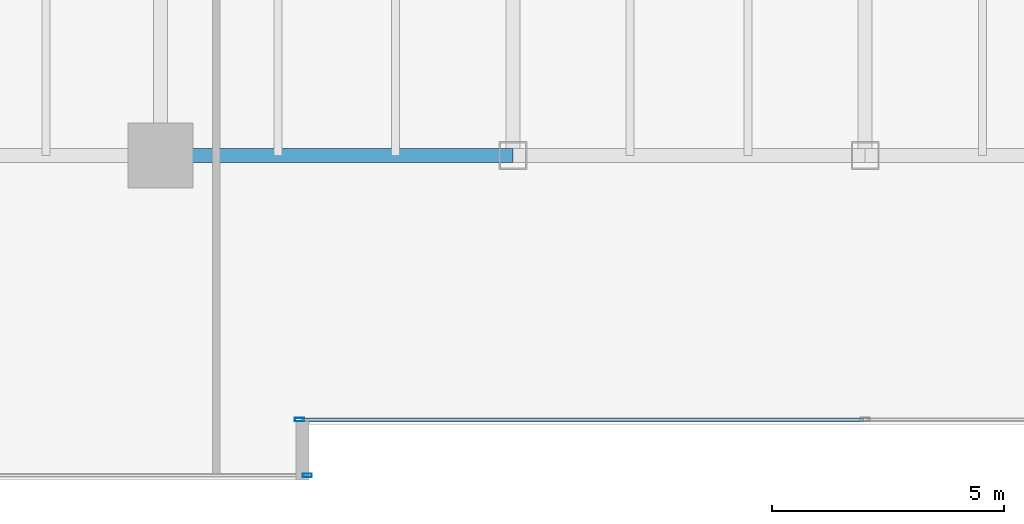
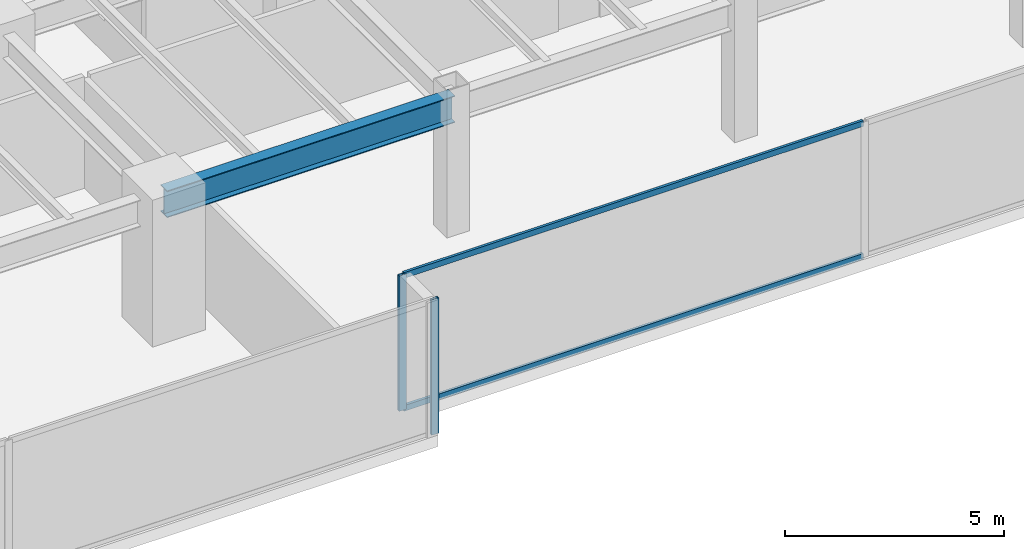
# One storey, part 4 of 35: 4 members, 1 beam, 2 elements without a shape of their own.
"""IFC4 building model written with IfcOpenShell, lengths in metres."""

from ifc_helpers import new_model, si_unit, direction, frame, origin, origin_2d, place, context, subcontext, project, spatial, hollow_rectangle, i_section, extrude, source, transform, mapped, material, layer, layer_set, material_profile, profile_set, type_object, type_shapes, element, aggregate, save


model = new_model("IFC4")

# Units and contexts
model_context = context("Model", 3, precision=1e-05, world=origin(), true_north=direction((0.0, 1.0)))
body_context = subcontext(model_context, "Body", "Model", "MODEL_VIEW")
ifc_project = project(units=[si_unit("LENGTHUNIT", "METRE"), si_unit("AREAUNIT", "SQUARE_METRE"), si_unit("VOLUMEUNIT", "CUBIC_METRE"), si_unit("PLANEANGLEUNIT", "RADIAN"), si_unit("MASSUNIT", "GRAM", prefix="KILO")], contexts=[model_context])

# Site, building, storey
site_placement = place(None, origin())
site = spatial("IfcSite", under=ifc_project, at=site_placement, CompositionType="ELEMENT")
building_placement = place(site_placement, origin())
building = spatial("IfcBuilding", under=site, at=building_placement, Name="Haelvirn Gate Laboratories", CompositionType="ELEMENT")
storey_placement = place(building_placement, frame((0.0, 0.0, 90.800048828125)))
storey = spatial("IfcBuildingStorey", under=building, at=storey_placement, Name="L22", CompositionType="ELEMENT", Elevation=90.800048828125)

# Beam
ifc_material_1 = material(Name="Steel SM355", Category="steel")
ifc_material_profile_1 = material_profile(ifc_material_1, i_section(OverallWidth=0.300048828125, OverallDepth=0.75, WebThickness=0.013916015625, FlangeThickness=0.02392578125, at=origin_2d()), Name="H-750x300x14x24")
ifc_profile_set_1 = profile_set([ifc_material_profile_1], Name="Steel SM355")
beam_type = type_object("IfcBeamType", Name="BM-G-750", PredefinedType="BEAM", material=ifc_profile_set_1)
shared_shape_1 = source(origin(), body_context, "Body", "SweptSolid", [
    extrude(i_section(OverallWidth=0.300048828125, OverallDepth=0.75, WebThickness=0.013916015625, FlangeThickness=0.02392578125, at=origin_2d()), origin(), (0.0, 0.0, 1.0), 7.60009765625),
])
type_shapes(beam_type, [shared_shape_1])
beam_placement = place(storey_placement, frame((22.199951171875, 7.0, 3.405029296875), z_axis=(1.0, 0.0, 0.0), x_axis=(0.0, 1.0, 0.0)))
element("IfcBeam", 1, at=beam_placement, inside=storey, type_object=beam_type, Name="L22 Primary Girder Y7.0 (22.2-29.8)", PredefinedType="BEAM", context=body_context, shape_type="MappedRepresentation", body=[
    mapped(shared_shape_1, transform((0.0, 0.0, 0.0), scale=1.0)),
])

# Curtain wall, member
ifc_material_2 = material(Name="Anodised bronze unitised aluminium & triple low-E glass", Category="aluminium")
ifc_layer = layer(ifc_material_2, 0.18408203125, Name="CW-SYS-2")
ifc_layer_set = layer_set([ifc_layer], Name="Anodised bronze unitised aluminium & triple low-E glass")
curtain_wall_type = type_object("IfcCurtainWallType", Name="CW-SYS-2", PredefinedType="NOTDEFINED", material=ifc_layer_set)
curtain_wall_1_placement = place(storey_placement, origin())
curtain_wall_1 = element("IfcCurtainWall", 2, at=curtain_wall_1_placement, inside=storey, type_object=curtain_wall_type, Name="L22 Unitised Curtain Wall CW-L22-P0-E00-1", PredefinedType="NOTDEFINED")
ifc_material_3 = material(Name="Extruded aluminium 6063-T6 (anodised bronze)", Category="aluminium")
ifc_material_profile_2 = material_profile(ifc_material_3, hollow_rectangle(XDim=0.074951171875, YDim=0.199951171875, WallThickness=0.0048828125, at=origin_2d()), Name="CWM-200x75x5")
ifc_profile_set_2 = profile_set([ifc_material_profile_2], Name="Extruded aluminium 6063-T6 (anodised bronze)")
member_type_1 = type_object("IfcMemberType", Name="CWM-T200", PredefinedType="MULLION", material=ifc_profile_set_2)
shared_shape_2 = source(origin(), body_context, "Body", "SweptSolid", [
    extrude(hollow_rectangle(XDim=0.074951171875, YDim=0.199951171875, WallThickness=0.0048828125, at=origin_2d()), origin(), (0.0, 0.0, 1.0), 3.780029296875),
])
type_shapes(member_type_1, [shared_shape_2])
member_1_placement = place(storey_placement, frame((25.362548828125, 0.10009765625, 0.0), z_axis=(0.0, 0.0, 1.0), x_axis=(0.0, 1.0, 0.0)))
member_1 = element("IfcMember", 3, at=member_1_placement, type_object=member_type_1, Name="CW2 mullion 3", PredefinedType="MULLION", context=body_context, shape_type="MappedRepresentation", body=[
    mapped(shared_shape_2, transform((0.0, 0.0, 0.0), scale=1.0)),
])
aggregate(curtain_wall_1, [member_1])

# Curtain wall, members
curtain_wall_2_placement = place(storey_placement, origin())
curtain_wall_2 = element("IfcCurtainWall", 4, at=curtain_wall_2_placement, inside=storey, type_object=curtain_wall_type, Name="L22 Unitised Curtain Wall CW-L22-P0-E02-1", PredefinedType="NOTDEFINED")
member_2_placement = place(storey_placement, frame((25.197509765625, 1.300048828125, 0.0), z_axis=(0.0, 0.0, 1.0), x_axis=(0.0, 1.0, 0.0)))
member_2 = element("IfcMember", 5, at=member_2_placement, type_object=member_type_1, Name="CW2 mullion 1", PredefinedType="MULLION", context=body_context, shape_type="MappedRepresentation", body=[
    mapped(shared_shape_2, transform((0.0, 0.0, 0.0), scale=1.0)),
])
ifc_material_profile_3 = material_profile(ifc_material_3, hollow_rectangle(XDim=0.070068359375, YDim=0.159912109375, WallThickness=0.0048828125, at=origin_2d()), Name="CWT-160x70x5")
ifc_profile_set_3 = profile_set([ifc_material_profile_3], Name="Extruded aluminium 6063-T6 (anodised bronze)")
member_type_2 = type_object("IfcMemberType", Name="CWT-T160", PredefinedType="USERDEFINED", material=ifc_profile_set_3)
shared_shape_3 = source(origin(), body_context, "Body", "SweptSolid", [
    extrude(hollow_rectangle(XDim=0.070068359375, YDim=0.159912109375, WallThickness=0.0048828125, at=origin_2d()), origin(), (0.0, 0.0, 1.0), 12.12744140625),
])
type_shapes(member_type_2, [shared_shape_3])
member_3_placement = place(storey_placement, frame((25.235107421875, 1.300048828125, 0.034912109375), z_axis=(1.0, 0.0, 0.0), x_axis=(0.0, 1.0, 0.0)))
member_3 = element("IfcMember", 6, at=member_3_placement, type_object=member_type_2, Name="CW2 transom 1.1", ObjectType="TRANSOM", PredefinedType="USERDEFINED", context=body_context, shape_type="MappedRepresentation", body=[
    mapped(shared_shape_3, transform((0.0, 0.0, 0.0), scale=1.0)),
])
member_4_placement = place(storey_placement, frame((25.235107421875, 1.300048828125, 3.744873046875), z_axis=(1.0, 0.0, 0.0), x_axis=(0.0, 1.0, 0.0)))
member_4 = element("IfcMember", 7, at=member_4_placement, type_object=member_type_2, Name="CW2 transom 1.2", ObjectType="TRANSOM", PredefinedType="USERDEFINED", context=body_context, shape_type="MappedRepresentation", body=[
    mapped(shared_shape_3, transform((0.0, 0.0, 0.0), scale=1.0)),
])
aggregate(curtain_wall_2, [member_2, member_3, member_4])

save(model, "model.ifc")
